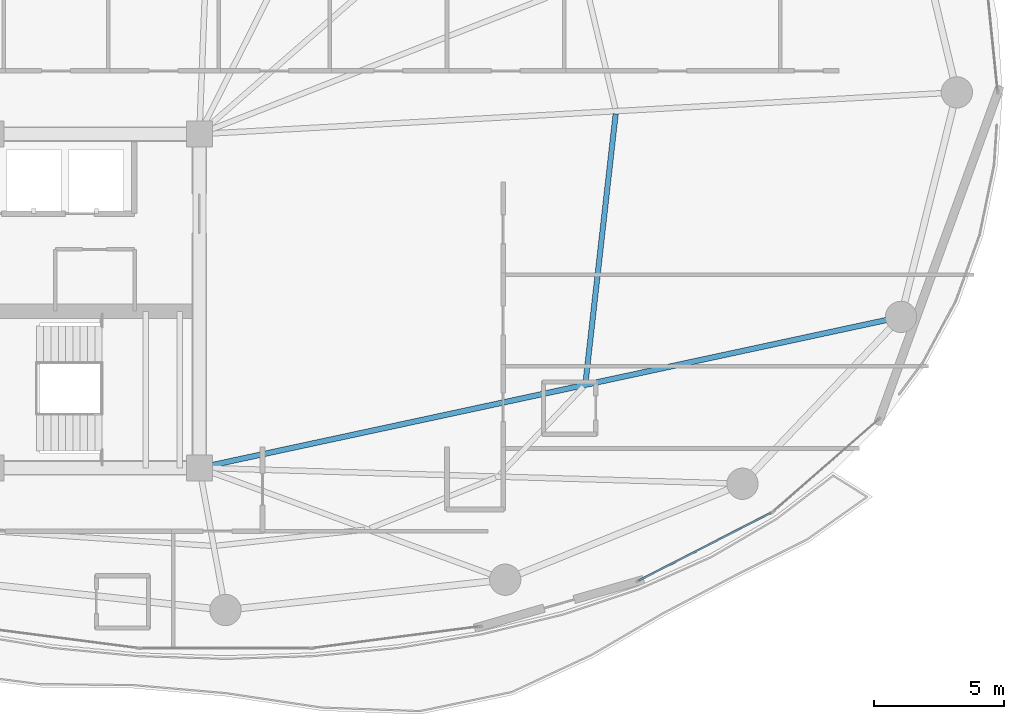
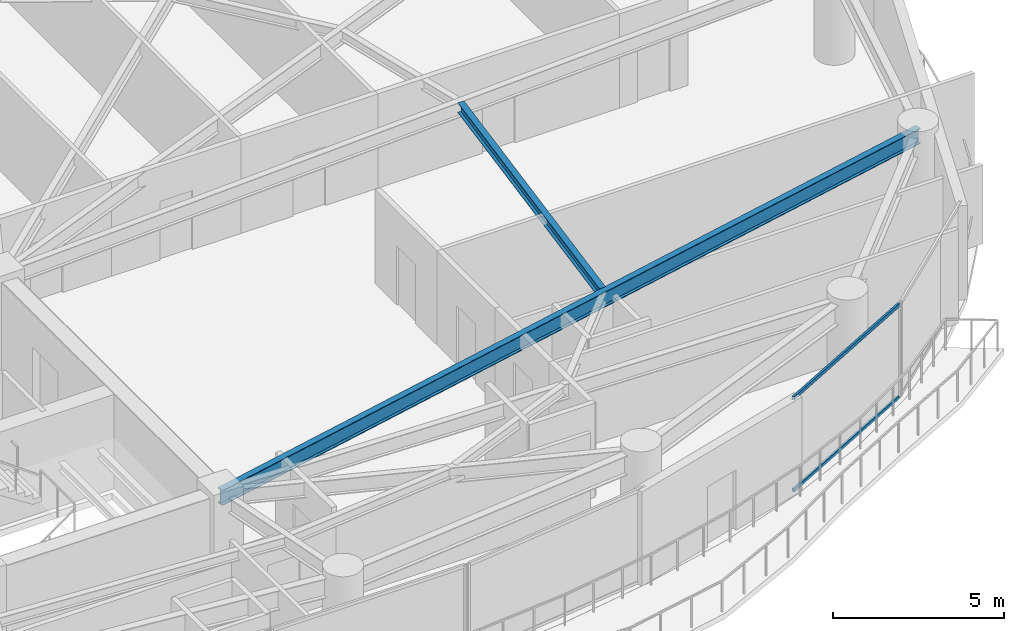
# One storey, part 12 of 31: 2 beams, 2 members, 1 element without a shape of its own.
"""IFC4 building model written with IfcOpenShell, lengths in metres."""

from ifc_helpers import new_model, si_unit, direction, frame, origin, origin_2d, place, context, subcontext, project, spatial, hollow_rectangle, i_section, extrude, material, layer, layer_set, material_profile, profile_set, type_object, element, aggregate, save


model = new_model("IFC4")

# Units and contexts
model_context = context("Model", 3, precision=1e-05, world=origin(), true_north=direction((0.0, 1.0)))
body_context = subcontext(model_context, "Body", "Model", "MODEL_VIEW")
ifc_project = project(units=[si_unit("LENGTHUNIT", "METRE"), si_unit("AREAUNIT", "SQUARE_METRE"), si_unit("VOLUMEUNIT", "CUBIC_METRE"), si_unit("PLANEANGLEUNIT", "RADIAN"), si_unit("MASSUNIT", "GRAM", prefix="KILO")], contexts=[model_context])

# Site, building, storey
site_placement = place(None, origin())
site = spatial("IfcSite", under=ifc_project, at=site_placement, CompositionType="ELEMENT")
building_placement = place(site_placement, origin())
building = spatial("IfcBuilding", under=site, at=building_placement, Name="Kazevale Care Tower and Concert Hall", CompositionType="ELEMENT")
storey_placement = place(building_placement, frame((0.0, 0.0, 124.199951171875)))
storey = spatial("IfcBuildingStorey", under=building, at=storey_placement, Name="L32", CompositionType="ELEMENT", Elevation=124.199951171875)

# Curtain wall, members
ifc_material_1 = material(Name="Aluminium 6063-T6 and Low-E Glass", Category="aluminium")
ifc_layer = layer(ifc_material_1, 0.179931640625)
ifc_layer_set = layer_set([ifc_layer], Name="Aluminium 6063-T6 and Low-E Glass")
curtain_wall_type = type_object("IfcCurtainWallType", Name="Sheltered Concave Balcony Curtain Wall CW-5", PredefinedType="NOTDEFINED", material=ifc_layer_set)
curtain_wall_placement = place(storey_placement, origin())
curtain_wall = element("IfcCurtainWall", 1, at=curtain_wall_placement, inside=storey, type_object=curtain_wall_type, Name="cw:L32:f03", PredefinedType="NOTDEFINED")
ifc_material_2 = material(Name="Aluminium 6063-T6", Category="aluminium")
ifc_material_profile_1 = material_profile(ifc_material_2, hollow_rectangle(XDim=0.074951171875, YDim=0.1201171875, WallThickness=0.00390625, at=origin_2d()), Name="ALU75x120x4")
ifc_profile_set_1 = profile_set([ifc_material_profile_1], Name="Aluminium 6063-T6")
member_type = type_object("IfcMemberType", Name="CW-5 Transom ALU75x120x4", PredefinedType="USERDEFINED", material=ifc_profile_set_1)
member_1_placement = place(storey_placement, frame((65.904296875, 21.86376953125, 0.03759765625), z_axis=(-0.890142600475, -0.455682072084, 0.0), x_axis=(0.455682072084, -0.890142600475, 0.0)))
member_1 = element("IfcMember", 2, at=member_1_placement, type_object=member_type, Name="CW-5 transom 1.1", ObjectType="TRANSOM", PredefinedType="USERDEFINED", context=body_context, shape_type="SweptSolid", body=[
    extrude(hollow_rectangle(XDim=0.074951171875, YDim=0.1201171875, WallThickness=0.00390625, at=origin_2d()), origin(), (0.0, 0.0, 1.0), 5.671630859375),
])
member_2_placement = place(storey_placement, frame((65.904296875, 21.86376953125, 3.322509765625), z_axis=(-0.890142600475, -0.455682072084, 0.0), x_axis=(0.455682072084, -0.890142600475, 0.0)))
member_2 = element("IfcMember", 3, at=member_2_placement, type_object=member_type, Name="CW-5 transom 1.2", ObjectType="TRANSOM", PredefinedType="USERDEFINED", context=body_context, shape_type="SweptSolid", body=[
    extrude(hollow_rectangle(XDim=0.074951171875, YDim=0.1201171875, WallThickness=0.00390625, at=origin_2d()), origin(), (0.0, 0.0, 1.0), 5.671630859375),
])
aggregate(curtain_wall, [member_1, member_2])

# Beams
ifc_material_3 = material(Name="Steel ASTM A572 Gr 50", Category="steel")
ifc_material_profile_2 = material_profile(ifc_material_3, i_section(OverallWidth=0.2119140625, OverallDepth=0.5439453125, WebThickness=0.01318359375, FlangeThickness=0.021240234375, at=origin_2d()), Name="W530x123")
ifc_profile_set_2 = profile_set([ifc_material_profile_2], Name="Steel ASTM A572 Gr 50")
beam_type_1 = type_object("IfcBeamType", Name="Radial Floor Girder W530x123", PredefinedType="BEAM", material=ifc_profile_set_2)
beam_1_placement = place(storey_placement, frame((44.0, 23.60009765625, 3.088134765625), z_axis=(0.97762801725, 0.210341293823, 0.0), x_axis=(-0.210341293823, 0.97762801725, 0.0)))
element("IfcBeam", 4, at=beam_1_placement, inside=storey, type_object=beam_type_1, Name="beam:L32:rad:16", PredefinedType="BEAM", context=body_context, shape_type="SweptSolid", body=[
    extrude(i_section(OverallWidth=0.2119140625, OverallDepth=0.5439453125, WebThickness=0.01318359375, FlangeThickness=0.021240234375, at=origin_2d()), origin(), (0.0, 0.0, 1.0), 27.525634765625),
])
ifc_material_profile_3 = material_profile(ifc_material_3, i_section(OverallWidth=0.205078125, OverallDepth=0.35400390625, WebThickness=0.009521484375, FlangeThickness=0.016845703125, at=origin_2d()), Name="W360x79")
ifc_profile_set_3 = profile_set([ifc_material_profile_3], Name="Steel ASTM A572 Gr 50")
beam_type_2 = type_object("IfcBeamType", Name="Secondary Floor Joist W360x79", PredefinedType="JOIST", material=ifc_profile_set_3)
beam_2_placement = place(storey_placement, frame((58.81201171875, 26.888916015625, 3.18310546875), z_axis=(0.111485011105, 0.993766115491, 0.0), x_axis=(-0.993766115491, 0.111485011105, 0.0)))
element("IfcBeam", 5, at=beam_2_placement, inside=storey, type_object=beam_type_2, Name="beam:L32:joist:16", PredefinedType="JOIST", context=body_context, shape_type="SweptSolid", body=[
    extrude(i_section(OverallWidth=0.205078125, OverallDepth=0.35400390625, WebThickness=0.009521484375, FlangeThickness=0.016845703125, at=origin_2d()), origin(), (0.0, 0.0, 1.0), 10.3515625),
])

save(model, "model.ifc")
